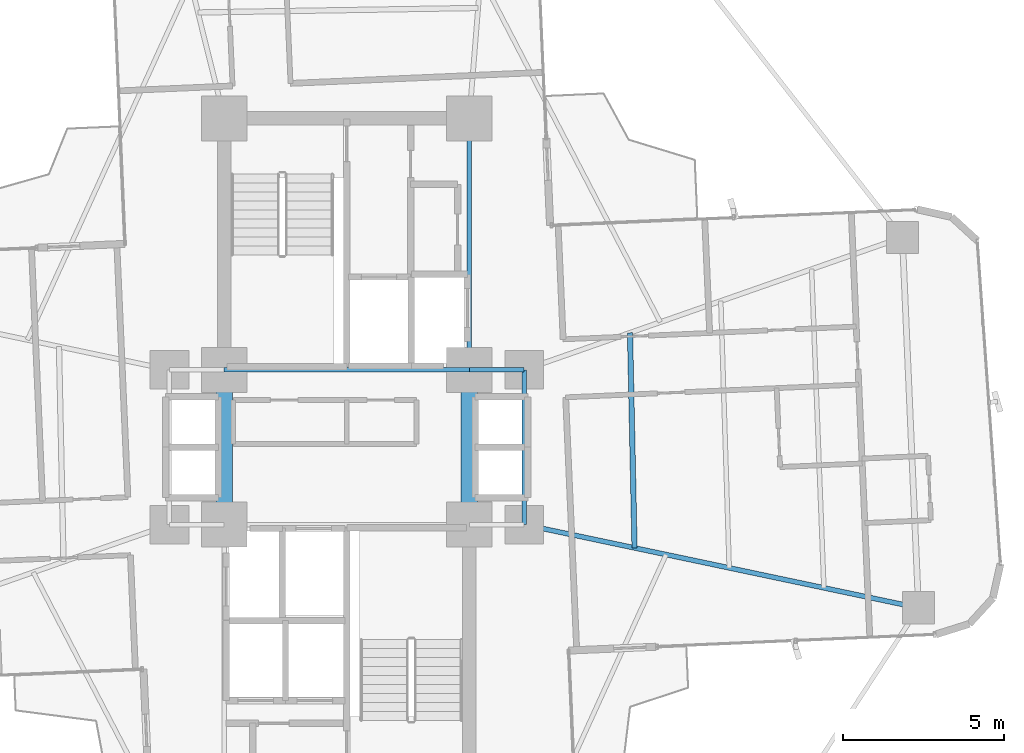
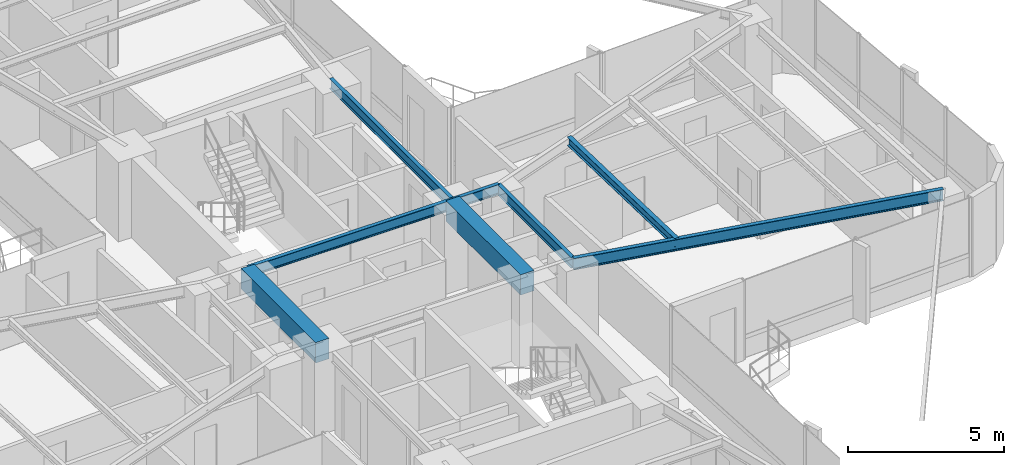
# One storey, part 12 of 26: 8 beams.
"""IFC4 building model written with IfcOpenShell, lengths in metres."""

from ifc_helpers import new_model, si_unit, direction, frame, origin, origin_2d, place, context, subcontext, project, spatial, rectangle, i_section, extrude, source, transform, mapped, material, material_profile, profile_set, type_object, element, save


model = new_model("IFC4")

# Units and contexts
model_context = context("Model", 3, precision=1e-05, world=origin(), true_north=direction((0.0, 1.0)))
body_context = subcontext(model_context, "Body", "Model", "MODEL_VIEW")
ifc_project = project(units=[si_unit("LENGTHUNIT", "METRE"), si_unit("AREAUNIT", "SQUARE_METRE"), si_unit("VOLUMEUNIT", "CUBIC_METRE"), si_unit("PLANEANGLEUNIT", "RADIAN"), si_unit("MASSUNIT", "GRAM", prefix="KILO")], contexts=[model_context])

# Site, building, storey
site_placement = place(None, origin())
site = spatial("IfcSite", under=ifc_project, at=site_placement, CompositionType="ELEMENT")
building_placement = place(site_placement, origin())
building = spatial("IfcBuilding", under=site, at=building_placement, Name="Sahyath Konkavel Grand Hotel", CompositionType="ELEMENT")
storey_placement = place(building_placement, frame((0.0, 0.0, 114.800048828125)))
storey = spatial("IfcBuildingStorey", under=building, at=storey_placement, Name="L31", CompositionType="ELEMENT", Elevation=114.800048828125)

# Beams
ifc_material_1 = material(Name="Steel E350", Category="steel")
ifc_material_profile_1 = material_profile(ifc_material_1, i_section(OverallWidth=0.139892578125, OverallDepth=0.39990234375, WebThickness=0.0087890625, FlangeThickness=0.01611328125, FilletRadius=0.013916015625, at=origin_2d()), Name="ISMB 400")
ifc_profile_set_1 = profile_set([ifc_material_profile_1], Name="Steel E350")
beam_type_1 = type_object("IfcBeamType", Name="BM-ISMB400", PredefinedType="BEAM", material=ifc_profile_set_1)
shared_shape_1 = source(origin(), body_context, "Body", "SweptSolid", [
    extrude(i_section(OverallWidth=0.139892578125, OverallDepth=0.39990234375, WebThickness=0.0087890625, FlangeThickness=0.01611328125, FilletRadius=0.013916015625, at=origin_2d()), origin(), (0.0, 0.0, 1.0), 7.60009765625),
])
beam_1_placement = place(storey_placement, frame((-3.800048828125, 2.39990234375, 2.909912109375), z_axis=(1.0, 0.0, 0.0), x_axis=(0.0, 1.0, 0.0)))
element("IfcBeam", 1, at=beam_1_placement, inside=storey, type_object=beam_type_1, Name="str:bm:L31:NC-S", PredefinedType="BEAM", context=body_context, shape_type="MappedRepresentation", body=[
    mapped(shared_shape_1, transform((0.0, 0.0, 0.0), scale=1.0)),
])
shared_shape_2 = source(origin(), body_context, "Body", "SweptSolid", [
    extrude(i_section(OverallWidth=0.139892578125, OverallDepth=0.39990234375, WebThickness=0.0087890625, FlangeThickness=0.01611328125, FilletRadius=0.013916015625, at=origin_2d()), origin(), (0.0, 0.0, 1.0), 7.800048828125),
])
beam_2_placement = place(storey_placement, frame((3.800048828125, 2.39990234375, 2.909912109375), z_axis=(0.0, 1.0, 0.0), x_axis=(-1.0, 0.0, 0.0)))
element("IfcBeam", 2, at=beam_2_placement, inside=storey, type_object=beam_type_1, Name="str:bm:L31:NC-E", PredefinedType="BEAM", context=body_context, shape_type="MappedRepresentation", body=[
    mapped(shared_shape_2, transform((0.0, 0.0, 0.0), scale=1.0)),
])
shared_shape_3 = source(origin(), body_context, "Body", "SweptSolid", [
    extrude(i_section(OverallWidth=0.139892578125, OverallDepth=0.39990234375, WebThickness=0.0087890625, FlangeThickness=0.01611328125, FilletRadius=0.013916015625, at=origin_2d()), origin(), (0.0, 0.0, 1.0), 1.699951171875),
])
beam_3_placement = place(storey_placement, frame((3.800048828125, 2.39990234375, 2.909912109375), z_axis=(1.0, 0.0, 0.0), x_axis=(0.0, 1.0, 0.0)))
element("IfcBeam", 3, at=beam_3_placement, inside=storey, type_object=beam_type_1, Name="str:bm:L31:HB-NE", PredefinedType="BEAM", context=body_context, shape_type="MappedRepresentation", body=[
    mapped(shared_shape_3, transform((0.0, 0.0, 0.0), scale=1.0)),
])
shared_shape_4 = source(origin(), body_context, "Body", "SweptSolid", [
    extrude(i_section(OverallWidth=0.139892578125, OverallDepth=0.39990234375, WebThickness=0.0087890625, FlangeThickness=0.01611328125, FilletRadius=0.013916015625, at=origin_2d()), origin(), (0.0, 0.0, 1.0), 4.7998046875),
])
beam_4_placement = place(storey_placement, frame((5.5, -2.39990234375, 2.909912109375), z_axis=(0.0, 1.0, 0.0), x_axis=(-1.0, 0.0, 0.0)))
element("IfcBeam", 4, at=beam_4_placement, inside=storey, type_object=beam_type_1, Name="str:bm:L31:HB-E", PredefinedType="BEAM", context=body_context, shape_type="MappedRepresentation", body=[
    mapped(shared_shape_4, transform((0.0, 0.0, 0.0), scale=1.0)),
])
ifc_material_2 = material(Name="Concrete C50/60", Category="concrete")
ifc_material_profile_2 = material_profile(ifc_material_2, rectangle(XDim=0.5, YDim=0.800048828125, at=origin_2d()), Name="RC 500x800")
ifc_profile_set_2 = profile_set([ifc_material_profile_2], Name="Concrete C50/60")
beam_type_2 = type_object("IfcBeamType", Name="BM-CB500x800", PredefinedType="LINTEL", material=ifc_profile_set_2)
shared_shape_5 = source(origin(), body_context, "Body", "SweptSolid", [
    extrude(rectangle(XDim=0.5, YDim=0.800048828125, at=origin_2d()), origin(), (0.0, 0.0, 1.0), 4.7998046875),
])
for number, where, z_axis, x_axis, name in (
    (5, (-3.800048828125, -2.39990234375, 2.7099609375), (0.0, 1.0, 0.0), (-1.0, 0.0, 0.0), "L31 Split-Core Coupling Beam West"),
    (6, (3.800048828125, -2.39990234375, 2.7099609375), (0.0, 1.0, 0.0), (-1.0, 0.0, 0.0), "L31 Split-Core Coupling Beam East"),
):
    element("IfcBeam", number, at=place(storey_placement, frame(where, z_axis=z_axis, x_axis=x_axis)), inside=storey, type_object=beam_type_2, Name=name, PredefinedType="LINTEL", context=body_context, shape_type="MappedRepresentation", body=[
        mapped(shared_shape_5, transform((0.0, 0.0, 0.0), scale=1.0)),
    ])
ifc_material_profile_3 = material_profile(ifc_material_1, i_section(OverallWidth=0.14990234375, OverallDepth=0.449951171875, WebThickness=0.009521484375, FlangeThickness=0.017333984375, FilletRadius=0.014892578125, at=origin_2d()), Name="ISMB 450")
ifc_profile_set_3 = profile_set([ifc_material_profile_3], Name="Steel E350")
beam_type_3 = type_object("IfcBeamType", Name="BM-ISMB450", PredefinedType="BEAM", material=ifc_profile_set_3)
shared_shape_6 = source(origin(), body_context, "Body", "SweptSolid", [
    extrude(i_section(OverallWidth=0.14990234375, OverallDepth=0.449951171875, WebThickness=0.009521484375, FlangeThickness=0.017333984375, FilletRadius=0.014892578125, at=origin_2d()), origin(), (0.0, 0.0, 1.0), 12.50341796875),
])
beam_5_placement = place(storey_placement, frame((5.5, -2.39990234375, 2.885009765625), z_axis=(0.978457911392, -0.206446398937, 0.0), x_axis=(0.206446398937, 0.978457911392, 0.0)))
element("IfcBeam", 7, at=beam_5_placement, inside=storey, type_object=beam_type_3, Name="L31 Cruciform Radial Girder EA", PredefinedType="BEAM", context=body_context, shape_type="MappedRepresentation", body=[
    mapped(shared_shape_6, transform((0.0, 0.0, 0.0), scale=1.0)),
])
ifc_material_profile_4 = material_profile(ifc_material_1, i_section(OverallWidth=0.1650390625, OverallDepth=0.324951171875, WebThickness=0.007080078125, FlangeThickness=0.009765625, FilletRadius=0.014892578125, at=origin_2d()), Name="ISLB 325")
ifc_profile_set_4 = profile_set([ifc_material_profile_4], Name="Steel E350")
beam_type_4 = type_object("IfcBeamType", Name="BM-ISLB325", PredefinedType="BEAM", material=ifc_profile_set_4)
shared_shape_7 = source(origin(), body_context, "Body", "SweptSolid", [
    extrude(i_section(OverallWidth=0.1650390625, OverallDepth=0.324951171875, WebThickness=0.007080078125, FlangeThickness=0.009765625, FilletRadius=0.014892578125, at=origin_2d()), origin(), (0.0, 0.0, 1.0), 6.674560546875),
])
beam_6_placement = place(storey_placement, frame((8.925537109375, -3.122802734375, 2.947509765625), z_axis=(-0.021032188543, 0.999778799058, 0.0), x_axis=(-0.999778799058, -0.021032188543, 0.0)))
element("IfcBeam", 8, at=beam_6_placement, inside=storey, type_object=beam_type_4, Name="L31 Secondary Floor Beam E-1", PredefinedType="BEAM", context=body_context, shape_type="MappedRepresentation", body=[
    mapped(shared_shape_7, transform((0.0, 0.0, 0.0), scale=1.0)),
])

save(model, "model.ifc")
